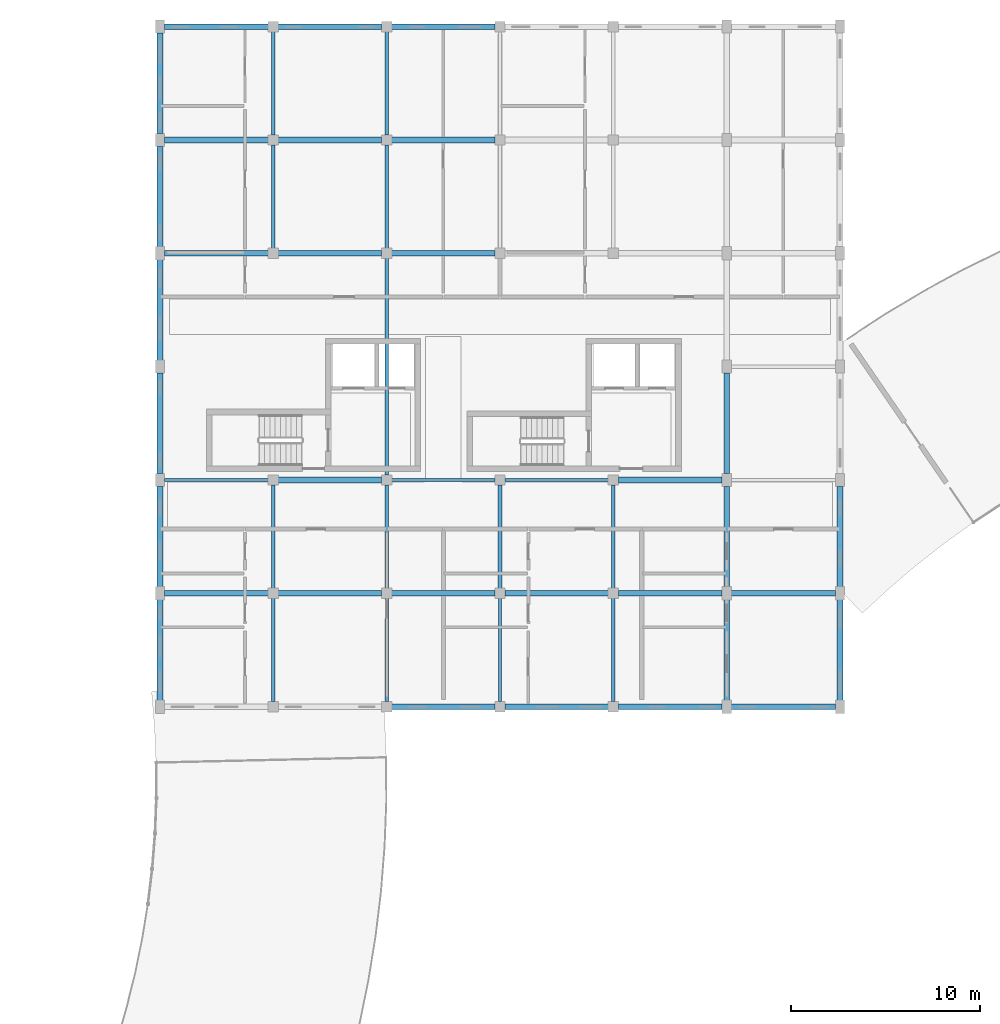
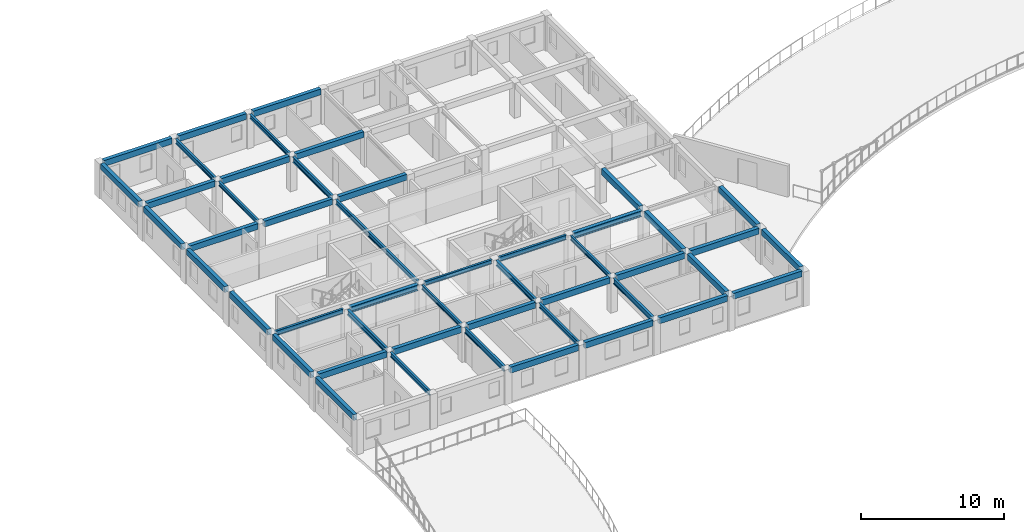
# One storey, part 12 of 58: 48 beams.
"""IFC4 building model written with IfcOpenShell, lengths in metres."""

from ifc_helpers import new_model, si_unit, direction, frame, origin, origin_2d, place, context, subcontext, project, spatial, rectangle, i_section, extrude, material, material_profile, profile_set, type_object, element, save


model = new_model("IFC4")

# Units and contexts
model_context = context("Model", 3, precision=1e-05, world=origin(), true_north=direction((0.0, 1.0)))
body_context = subcontext(model_context, "Body", "Model", "MODEL_VIEW")
ifc_project = project(units=[si_unit("LENGTHUNIT", "METRE"), si_unit("AREAUNIT", "SQUARE_METRE"), si_unit("VOLUMEUNIT", "CUBIC_METRE"), si_unit("PLANEANGLEUNIT", "RADIAN"), si_unit("MASSUNIT", "GRAM", prefix="KILO"), si_unit("POWERUNIT", "WATT"), si_unit("THERMODYNAMICTEMPERATUREUNIT", "KELVIN")], contexts=[model_context])

# Site, building, storey
site_placement = place(None, origin())
site = spatial("IfcSite", under=ifc_project, at=site_placement, CompositionType="ELEMENT")
building_placement = place(site_placement, origin())
building = spatial("IfcBuilding", under=site, at=building_placement, Name="Ruvembo Vaulted Housing Court", CompositionType="ELEMENT")
storey_placement = place(building_placement, frame((0.0, 0.0, 20.5)))
storey = spatial("IfcBuildingStorey", under=building, at=storey_placement, Name="L06", CompositionType="ELEMENT", Elevation=20.5)

# Beams
ifc_material_1 = material(Name="Steel S355J2", Category="steel")
ifc_material_profile_1 = material_profile(ifc_material_1, i_section(OverallWidth=0.300048828125, OverallDepth=0.5, WebThickness=0.014404296875, FlangeThickness=0.028076171875, FilletRadius=0.027099609375, at=origin_2d()), Name="HEB 320")
ifc_profile_set_1 = profile_set([ifc_material_profile_1], Name="Steel S355J2")
beam_type_1 = type_object("IfcBeamType", Name="BM-ST-HEB320", PredefinedType="BEAM", material=ifc_profile_set_1)
beam_1_placement = place(storey_placement, frame((54.260009765625, 90.0, 2.676025390625), z_axis=(1.0, 0.0, 0.0), x_axis=(0.0, 1.0, 0.0)))
element("IfcBeam", 1, at=beam_1_placement, inside=storey, type_object=beam_type_1, Name="L06 Grid Beam X #2633", PredefinedType="BEAM", context=body_context, shape_type="SweptSolid", body=[
    extrude(i_section(OverallWidth=0.300048828125, OverallDepth=0.5, WebThickness=0.014404296875, FlangeThickness=0.028076171875, FilletRadius=0.027099609375, at=origin_2d()), origin(), (0.0, 0.0, 1.0), 5.47998046875),
])
beam_2_placement = place(storey_placement, frame((72.260009765625, 90.0, 2.676025390625), z_axis=(1.0, 0.0, 0.0), x_axis=(0.0, 1.0, 0.0)))
element("IfcBeam", 2, at=beam_2_placement, inside=storey, type_object=beam_type_1, Name="L06 Grid Beam X #2636", PredefinedType="BEAM", context=body_context, shape_type="SweptSolid", body=[
    extrude(i_section(OverallWidth=0.300048828125, OverallDepth=0.5, WebThickness=0.014404296875, FlangeThickness=0.028076171875, FilletRadius=0.027099609375, at=origin_2d()), origin(), (0.0, 0.0, 1.0), 5.5048828125),
])
ifc_material_profile_2 = material_profile(ifc_material_1, i_section(OverallWidth=0.169921875, OverallDepth=0.360107421875, WebThickness=0.008056640625, FlangeThickness=0.0126953125, FilletRadius=0.01806640625, at=origin_2d()), Name="IPE 360")
ifc_profile_set_2 = profile_set([ifc_material_profile_2], Name="Steel S355J2")
beam_type_2 = type_object("IfcBeamType", Name="BM-ST-IPE360", PredefinedType="BEAM", material=ifc_profile_set_2)
for number, where, z_axis, x_axis, name in (
    (3, (60.260009765625, 90.0, 2.74609375), (1.0, 0.0, 0.0), (0.0, 1.0, 0.0), "L06 Grid Beam X #2634"),
    (4, (54.0, 102.260009765625, 2.74609375), (0.0, 1.0, 0.0), (-1.0, 0.0, 0.0), "L06 Grid Beam Y #2703"),
    (5, (60.0, 84.260009765625, 2.74609375), (0.0, 1.0, 0.0), (-1.0, 0.0, 0.0), "L06 Grid Beam Y #2706"),
    (6, (60.0, 108.260009765625, 2.74609375), (0.0, 1.0, 0.0), (-1.0, 0.0, 0.0), "L06 Grid Beam Y #2709"),
    (7, (72.0, 84.260009765625, 2.74609375), (0.0, 1.0, 0.0), (-1.0, 0.0, 0.0), "L06 Grid Beam Y #2715"),
):
    element("IfcBeam", number, at=place(storey_placement, frame(where, z_axis=z_axis, x_axis=x_axis)), inside=storey, type_object=beam_type_2, Name=name, PredefinedType="BEAM", context=body_context, shape_type="SweptSolid", body=[
        extrude(i_section(OverallWidth=0.169921875, OverallDepth=0.360107421875, WebThickness=0.008056640625, FlangeThickness=0.0126953125, FilletRadius=0.01806640625, at=origin_2d()), origin(), (0.0, 0.0, 1.0), 5.47998046875),
    ])
ifc_material_profile_3 = material_profile(ifc_material_1, i_section(OverallWidth=0.179931640625, OverallDepth=0.39990234375, WebThickness=0.008544921875, FlangeThickness=0.013427734375, FilletRadius=0.02099609375, at=origin_2d()), Name="IPE 400")
ifc_profile_set_3 = profile_set([ifc_material_profile_3], Name="Steel S355J2")
beam_type_3 = type_object("IfcBeamType", Name="BM-ST-IPE400", PredefinedType="BEAM", material=ifc_profile_set_3)
beam_3_placement = place(storey_placement, frame((48.235107421875, 90.0, 2.72607421875), z_axis=(1.0, 0.0, 0.0), x_axis=(0.0, 1.0, 0.0)))
element("IfcBeam", 8, at=beam_3_placement, inside=storey, type_object=beam_type_3, Name="L06 Grid Beam X #2632", PredefinedType="BEAM", context=body_context, shape_type="SweptSolid", body=[
    extrude(i_section(OverallWidth=0.179931640625, OverallDepth=0.39990234375, WebThickness=0.008544921875, FlangeThickness=0.013427734375, FilletRadius=0.02099609375, at=origin_2d()), origin(), (0.0, 0.0, 1.0), 5.5048828125),
])
for number, where, z_axis, x_axis, name in (
    (9, (66.260009765625, 90.0, 2.72607421875), (1.0, 0.0, 0.0), (0.0, 1.0, 0.0), "L06 Grid Beam X #2635"),
    (10, (54.0, 78.260009765625, 2.72607421875), (0.0, 1.0, 0.0), (-1.0, 0.0, 0.0), "L06 Grid Beam Y #2701"),
    (11, (54.0, 108.260009765625, 2.72607421875), (0.0, 1.0, 0.0), (-1.0, 0.0, 0.0), "L06 Grid Beam Y #2704"),
):
    element("IfcBeam", number, at=place(storey_placement, frame(where, z_axis=z_axis, x_axis=x_axis)), inside=storey, type_object=beam_type_3, Name=name, PredefinedType="BEAM", context=body_context, shape_type="SweptSolid", body=[
        extrude(i_section(OverallWidth=0.179931640625, OverallDepth=0.39990234375, WebThickness=0.008544921875, FlangeThickness=0.013427734375, FilletRadius=0.02099609375, at=origin_2d()), origin(), (0.0, 0.0, 1.0), 5.47998046875),
    ])
beam_4_placement = place(storey_placement, frame((60.0, 90.260009765625, 2.72607421875), z_axis=(0.0, 1.0, 0.0), x_axis=(-1.0, 0.0, 0.0)))
element("IfcBeam", 12, at=beam_4_placement, inside=storey, type_object=beam_type_3, Name="L06 Grid Beam Y #2707", PredefinedType="BEAM", context=body_context, shape_type="SweptSolid", body=[
    extrude(i_section(OverallWidth=0.179931640625, OverallDepth=0.39990234375, WebThickness=0.008544921875, FlangeThickness=0.013427734375, FilletRadius=0.02099609375, at=origin_2d()), origin(), (0.0, 0.0, 1.0), 11.47998046875),
])
beam_5_placement = place(storey_placement, frame((66.0, 78.260009765625, 2.72607421875), z_axis=(0.0, 1.0, 0.0), x_axis=(-1.0, 0.0, 0.0)))
element("IfcBeam", 13, at=beam_5_placement, inside=storey, type_object=beam_type_3, Name="L06 Grid Beam Y #2710", PredefinedType="BEAM", context=body_context, shape_type="SweptSolid", body=[
    extrude(i_section(OverallWidth=0.179931640625, OverallDepth=0.39990234375, WebThickness=0.008544921875, FlangeThickness=0.013427734375, FilletRadius=0.02099609375, at=origin_2d()), origin(), (0.0, 0.0, 1.0), 5.47998046875),
])
ifc_material_profile_4 = material_profile(ifc_material_1, i_section(OverallWidth=0.18994140625, OverallDepth=0.449951171875, WebThickness=0.009521484375, FlangeThickness=0.0146484375, FilletRadius=0.02099609375, at=origin_2d()), Name="IPE 450")
ifc_profile_set_4 = profile_set([ifc_material_profile_4], Name="Steel S355J2")
beam_type_4 = type_object("IfcBeamType", Name="BM-ST-IPE450", PredefinedType="BEAM", material=ifc_profile_set_4)
for number, where, z_axis, x_axis, name in (
    (14, (54.0, 84.260009765625, 2.700927734375), (0.0, 1.0, 0.0), (-1.0, 0.0, 0.0), "L06 Grid Beam Y #2702"),
    (15, (60.0, 78.260009765625, 2.700927734375), (0.0, 1.0, 0.0), (-1.0, 0.0, 0.0), "L06 Grid Beam Y #2705"),
    (16, (60.0, 102.260009765625, 2.700927734375), (0.0, 1.0, 0.0), (-1.0, 0.0, 0.0), "L06 Grid Beam Y #2708"),
    (17, (66.0, 84.260009765625, 2.700927734375), (0.0, 1.0, 0.0), (-1.0, 0.0, 0.0), "L06 Grid Beam Y #2711"),
    (18, (72.0, 78.260009765625, 2.700927734375), (0.0, 1.0, 0.0), (-1.0, 0.0, 0.0), "L06 Grid Beam Y #2714"),
):
    element("IfcBeam", number, at=place(storey_placement, frame(where, z_axis=z_axis, x_axis=x_axis)), inside=storey, type_object=beam_type_4, Name=name, PredefinedType="BEAM", context=body_context, shape_type="SweptSolid", body=[
        extrude(i_section(OverallWidth=0.18994140625, OverallDepth=0.449951171875, WebThickness=0.009521484375, FlangeThickness=0.0146484375, FilletRadius=0.02099609375, at=origin_2d()), origin(), (0.0, 0.0, 1.0), 5.47998046875),
    ])
ifc_material_2 = material(Name="Concrete C35/45", Category="concrete")
ifc_material_profile_5 = material_profile(ifc_material_2, rectangle(XDim=0.300048828125, YDim=0.5, at=origin_2d()), Name="RC 300x500")
ifc_profile_set_5 = profile_set([ifc_material_profile_5], Name="Concrete C35/45")
beam_type_5 = type_object("IfcBeamType", Name="SP-RC-300x500", PredefinedType="SPANDREL", material=ifc_profile_set_5)
for number, where, z_axis, x_axis, name in (
    (19, (60.260009765625, 78.0, 2.719970703125), (1.0, 0.0, 0.0), (0.0, 1.0, 0.0), "L06 Grid Beam X #2612"),
    (20, (66.260009765625, 78.0, 2.719970703125), (1.0, 0.0, 0.0), (0.0, 1.0, 0.0), "L06 Grid Beam X #2613"),
):
    element("IfcBeam", number, at=place(storey_placement, frame(where, z_axis=z_axis, x_axis=x_axis)), inside=storey, type_object=beam_type_5, Name=name, PredefinedType="SPANDREL", context=body_context, shape_type="SweptSolid", body=[
        extrude(rectangle(XDim=0.300048828125, YDim=0.5, at=origin_2d()), origin(), (0.0, 0.0, 1.0), 5.47998046875),
    ])
beam_6_placement = place(storey_placement, frame((72.260009765625, 78.0, 2.719970703125), z_axis=(1.0, 0.0, 0.0), x_axis=(0.0, 1.0, 0.0)))
element("IfcBeam", 21, at=beam_6_placement, inside=storey, type_object=beam_type_5, Name="L06 Grid Beam X #2614", PredefinedType="SPANDREL", context=body_context, shape_type="SweptSolid", body=[
    extrude(rectangle(XDim=0.300048828125, YDim=0.5, at=origin_2d()), origin(), (0.0, 0.0, 1.0), 5.5048828125),
])
beam_7_placement = place(storey_placement, frame((78.235107421875, 78.0, 2.719970703125), z_axis=(1.0, 0.0, 0.0), x_axis=(0.0, 1.0, 0.0)))
element("IfcBeam", 22, at=beam_7_placement, inside=storey, type_object=beam_type_5, Name="L06 Grid Beam X #2615", PredefinedType="SPANDREL", context=body_context, shape_type="SweptSolid", body=[
    extrude(rectangle(XDim=0.300048828125, YDim=0.5, at=origin_2d()), origin(), (0.0, 0.0, 1.0), 5.52978515625),
])
beam_8_placement = place(storey_placement, frame((48.235107421875, 84.0, 2.719970703125), z_axis=(1.0, 0.0, 0.0), x_axis=(0.0, 1.0, 0.0)))
element("IfcBeam", 23, at=beam_8_placement, inside=storey, type_object=beam_type_5, Name="L06 Grid Beam X #2621", PredefinedType="SPANDREL", context=body_context, shape_type="SweptSolid", body=[
    extrude(rectangle(XDim=0.300048828125, YDim=0.5, at=origin_2d()), origin(), (0.0, 0.0, 1.0), 5.5048828125),
])
for number, where, z_axis, x_axis, name in (
    (24, (54.260009765625, 84.0, 2.719970703125), (1.0, 0.0, 0.0), (0.0, 1.0, 0.0), "L06 Grid Beam X #2622"),
    (25, (60.260009765625, 84.0, 2.719970703125), (1.0, 0.0, 0.0), (0.0, 1.0, 0.0), "L06 Grid Beam X #2623"),
    (26, (66.260009765625, 84.0, 2.719970703125), (1.0, 0.0, 0.0), (0.0, 1.0, 0.0), "L06 Grid Beam X #2624"),
):
    element("IfcBeam", number, at=place(storey_placement, frame(where, z_axis=z_axis, x_axis=x_axis)), inside=storey, type_object=beam_type_5, Name=name, PredefinedType="SPANDREL", context=body_context, shape_type="SweptSolid", body=[
        extrude(rectangle(XDim=0.300048828125, YDim=0.5, at=origin_2d()), origin(), (0.0, 0.0, 1.0), 5.47998046875),
    ])
beam_9_placement = place(storey_placement, frame((72.260009765625, 84.0, 2.719970703125), z_axis=(1.0, 0.0, 0.0), x_axis=(0.0, 1.0, 0.0)))
element("IfcBeam", 27, at=beam_9_placement, inside=storey, type_object=beam_type_5, Name="L06 Grid Beam X #2625", PredefinedType="SPANDREL", context=body_context, shape_type="SweptSolid", body=[
    extrude(rectangle(XDim=0.300048828125, YDim=0.5, at=origin_2d()), origin(), (0.0, 0.0, 1.0), 5.5048828125),
])
beam_10_placement = place(storey_placement, frame((78.235107421875, 84.0, 2.719970703125), z_axis=(1.0, 0.0, 0.0), x_axis=(0.0, 1.0, 0.0)))
element("IfcBeam", 28, at=beam_10_placement, inside=storey, type_object=beam_type_5, Name="L06 Grid Beam X #2626", PredefinedType="SPANDREL", context=body_context, shape_type="SweptSolid", body=[
    extrude(rectangle(XDim=0.300048828125, YDim=0.5, at=origin_2d()), origin(), (0.0, 0.0, 1.0), 5.52978515625),
])
beam_11_placement = place(storey_placement, frame((48.235107421875, 102.0, 2.719970703125), z_axis=(1.0, 0.0, 0.0), x_axis=(0.0, 1.0, 0.0)))
element("IfcBeam", 29, at=beam_11_placement, inside=storey, type_object=beam_type_5, Name="L06 Grid Beam X #2644", PredefinedType="SPANDREL", context=body_context, shape_type="SweptSolid", body=[
    extrude(rectangle(XDim=0.300048828125, YDim=0.5, at=origin_2d()), origin(), (0.0, 0.0, 1.0), 5.5048828125),
])
for number, where, z_axis, x_axis, name in (
    (30, (54.260009765625, 102.0, 2.719970703125), (1.0, 0.0, 0.0), (0.0, 1.0, 0.0), "L06 Grid Beam X #2645"),
    (31, (60.260009765625, 102.0, 2.719970703125), (1.0, 0.0, 0.0), (0.0, 1.0, 0.0), "L06 Grid Beam X #2646"),
):
    element("IfcBeam", number, at=place(storey_placement, frame(where, z_axis=z_axis, x_axis=x_axis)), inside=storey, type_object=beam_type_5, Name=name, PredefinedType="SPANDREL", context=body_context, shape_type="SweptSolid", body=[
        extrude(rectangle(XDim=0.300048828125, YDim=0.5, at=origin_2d()), origin(), (0.0, 0.0, 1.0), 5.47998046875),
    ])
beam_12_placement = place(storey_placement, frame((48.235107421875, 108.0, 2.719970703125), z_axis=(1.0, 0.0, 0.0), x_axis=(0.0, 1.0, 0.0)))
element("IfcBeam", 32, at=beam_12_placement, inside=storey, type_object=beam_type_5, Name="L06 Grid Beam X #2655", PredefinedType="SPANDREL", context=body_context, shape_type="SweptSolid", body=[
    extrude(rectangle(XDim=0.300048828125, YDim=0.5, at=origin_2d()), origin(), (0.0, 0.0, 1.0), 5.5048828125),
])
for number, where, z_axis, x_axis, name in (
    (33, (54.260009765625, 108.0, 2.719970703125), (1.0, 0.0, 0.0), (0.0, 1.0, 0.0), "L06 Grid Beam X #2656"),
    (34, (60.260009765625, 108.0, 2.719970703125), (1.0, 0.0, 0.0), (0.0, 1.0, 0.0), "L06 Grid Beam X #2657"),
):
    element("IfcBeam", number, at=place(storey_placement, frame(where, z_axis=z_axis, x_axis=x_axis)), inside=storey, type_object=beam_type_5, Name=name, PredefinedType="SPANDREL", context=body_context, shape_type="SweptSolid", body=[
        extrude(rectangle(XDim=0.300048828125, YDim=0.5, at=origin_2d()), origin(), (0.0, 0.0, 1.0), 5.47998046875),
    ])
beam_13_placement = place(storey_placement, frame((48.235107421875, 114.0, 2.719970703125), z_axis=(1.0, 0.0, 0.0), x_axis=(0.0, 1.0, 0.0)))
element("IfcBeam", 35, at=beam_13_placement, inside=storey, type_object=beam_type_5, Name="L06 Grid Beam X #2661", PredefinedType="SPANDREL", context=body_context, shape_type="SweptSolid", body=[
    extrude(rectangle(XDim=0.300048828125, YDim=0.5, at=origin_2d()), origin(), (0.0, 0.0, 1.0), 5.5048828125),
])
for number, where, z_axis, x_axis, name in (
    (36, (54.260009765625, 114.0, 2.719970703125), (1.0, 0.0, 0.0), (0.0, 1.0, 0.0), "L06 Grid Beam X #2662"),
    (37, (60.260009765625, 114.0, 2.719970703125), (1.0, 0.0, 0.0), (0.0, 1.0, 0.0), "L06 Grid Beam X #2663"),
):
    element("IfcBeam", number, at=place(storey_placement, frame(where, z_axis=z_axis, x_axis=x_axis)), inside=storey, type_object=beam_type_5, Name=name, PredefinedType="SPANDREL", context=body_context, shape_type="SweptSolid", body=[
        extrude(rectangle(XDim=0.300048828125, YDim=0.5, at=origin_2d()), origin(), (0.0, 0.0, 1.0), 5.47998046875),
    ])
for number, where, z_axis, x_axis, name in (
    (38, (48.0, 78.3349609375, 2.719970703125), (0.0, 1.0, 0.0), (-1.0, 0.0, 0.0), "L06 Grid Beam Y #2695"),
    (39, (48.0, 84.3349609375, 2.719970703125), (0.0, 1.0, 0.0), (-1.0, 0.0, 0.0), "L06 Grid Beam Y #2696"),
    (40, (48.0, 90.3349609375, 2.719970703125), (0.0, 1.0, 0.0), (-1.0, 0.0, 0.0), "L06 Grid Beam Y #2697"),
    (41, (48.0, 96.3349609375, 2.719970703125), (0.0, 1.0, 0.0), (-1.0, 0.0, 0.0), "L06 Grid Beam Y #2698"),
    (42, (48.0, 102.3349609375, 2.719970703125), (0.0, 1.0, 0.0), (-1.0, 0.0, 0.0), "L06 Grid Beam Y #2699"),
    (43, (48.0, 108.3349609375, 2.719970703125), (0.0, 1.0, 0.0), (-1.0, 0.0, 0.0), "L06 Grid Beam Y #2700"),
    (44, (78.0, 78.3349609375, 2.719970703125), (0.0, 1.0, 0.0), (-1.0, 0.0, 0.0), "L06 Grid Beam Y #2718"),
    (45, (78.0, 84.3349609375, 2.719970703125), (0.0, 1.0, 0.0), (-1.0, 0.0, 0.0), "L06 Grid Beam Y #2719"),
    (46, (78.0, 90.3349609375, 2.719970703125), (0.0, 1.0, 0.0), (-1.0, 0.0, 0.0), "L06 Grid Beam Y #2720"),
    (47, (84.0, 78.3349609375, 2.719970703125), (0.0, 1.0, 0.0), (-1.0, 0.0, 0.0), "L06 Grid Beam Y #2724"),
    (48, (84.0, 84.3349609375, 2.719970703125), (0.0, 1.0, 0.0), (-1.0, 0.0, 0.0), "L06 Grid Beam Y #2725"),
):
    element("IfcBeam", number, at=place(storey_placement, frame(where, z_axis=z_axis, x_axis=x_axis)), inside=storey, type_object=beam_type_5, Name=name, PredefinedType="SPANDREL", context=body_context, shape_type="SweptSolid", body=[
        extrude(rectangle(XDim=0.300048828125, YDim=0.5, at=origin_2d()), origin(), (0.0, 0.0, 1.0), 5.330078125),
    ])

save(model, "model.ifc")
